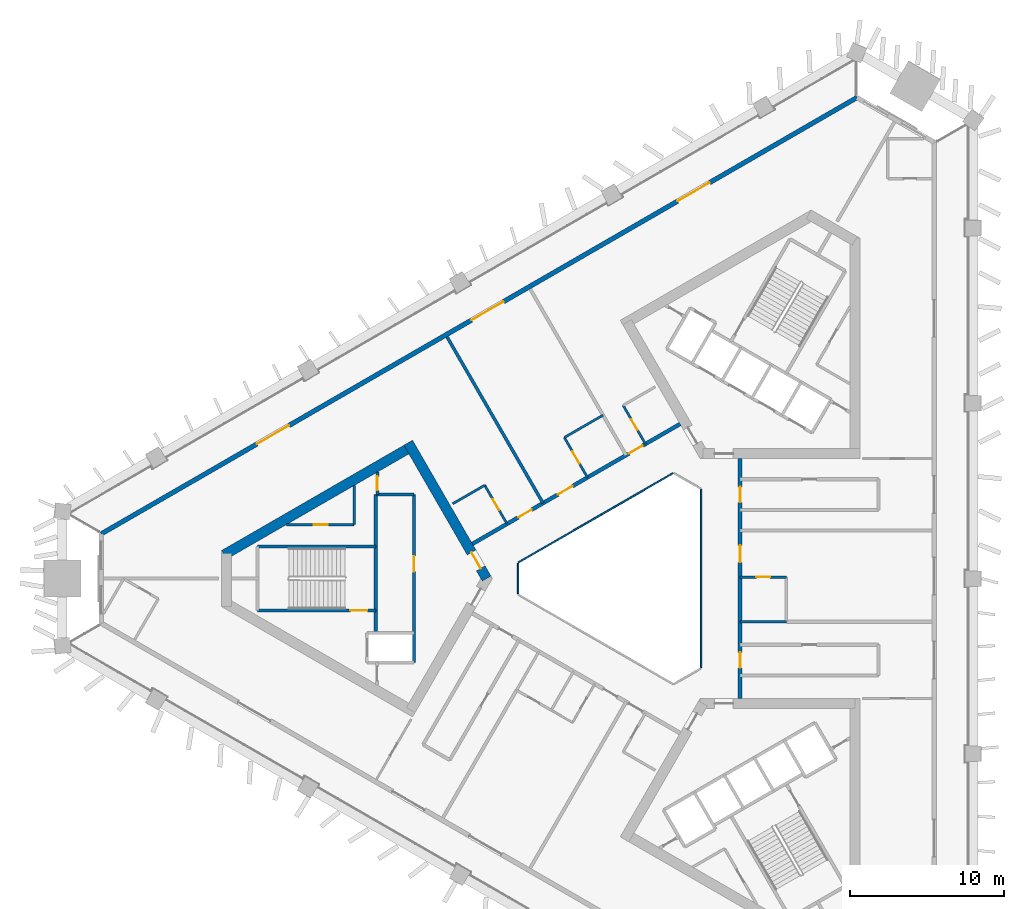
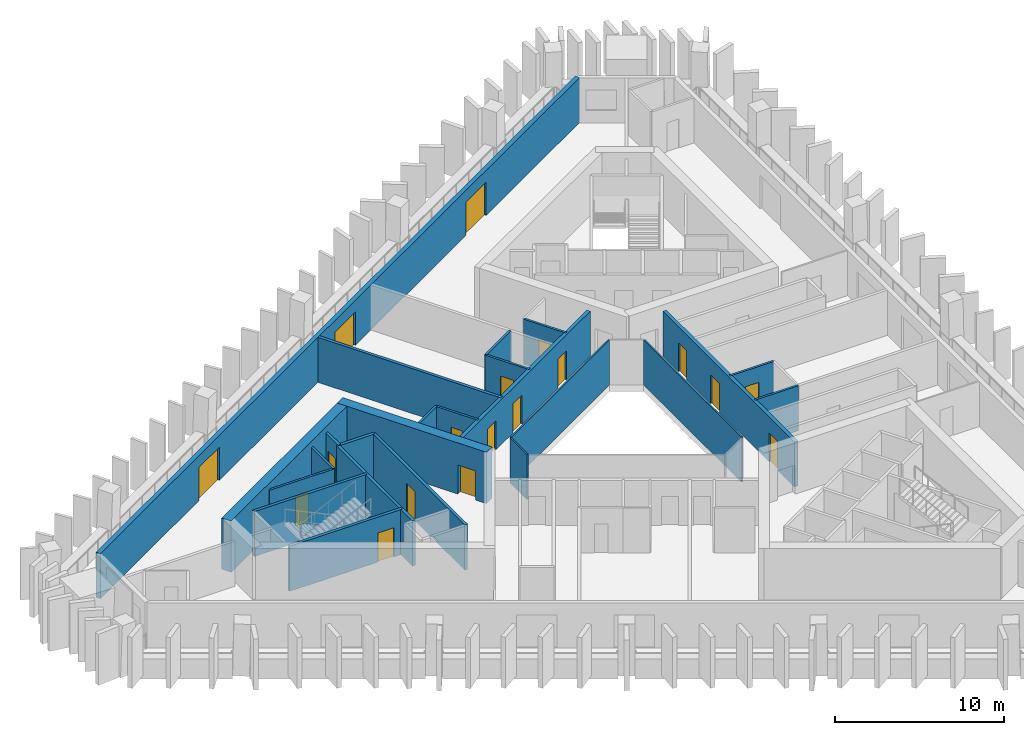
# One storey, part 4 of 10: 24 walls, 18 doors, 18 openings.
"""IFC4 building model written with IfcOpenShell, lengths in metres."""

from ifc_helpers import new_model, si_unit, direction, frame, frame_2d, origin, place, context, subcontext, project, spatial, rectangle, extrude, material, layer, layer_set, type_object, element, fill, save


model = new_model("IFC4")

# Units and contexts
model_context = context("Model", 3, precision=1e-05, world=origin(), true_north=direction((0.0, 1.0)))
body_context = subcontext(model_context, "Body", "Model", "MODEL_VIEW")
ifc_project = project(units=[si_unit("LENGTHUNIT", "METRE"), si_unit("AREAUNIT", "SQUARE_METRE"), si_unit("VOLUMEUNIT", "CUBIC_METRE"), si_unit("PLANEANGLEUNIT", "RADIAN"), si_unit("MASSUNIT", "GRAM", prefix="KILO")], contexts=[model_context])

# Site, building, storey
site_placement = place(None, origin())
site = spatial("IfcSite", under=ifc_project, at=site_placement, CompositionType="ELEMENT")
building_placement = place(site_placement, origin())
building = spatial("IfcBuilding", under=site, at=building_placement, Name="Jabali Bay Hotel Tower and Convention Centre", CompositionType="ELEMENT")
storey_placement = place(building_placement, frame((0.0, 0.0, 117.89990234375)))
storey = spatial("IfcBuildingStorey", under=building, at=storey_placement, Name="L28", CompositionType="ELEMENT", Elevation=117.89990234375)

# Walls
ifc_material_1 = material(Name="Fire-resistant glazing", Category="glass")
ifc_layer_1 = layer(ifc_material_1, 0.10009765625)
ifc_layer_set_1 = layer_set([ifc_layer_1], Name="Fire-resistant glazing")
wall_type_1 = type_object("IfcWallType", Name="Atrium glazed screen 100", PredefinedType="PARTITIONING", material=ifc_layer_set_1)
for number, where, z_axis, x_axis, name in (
    (1, (79.56005859375, 74.205810546875, 0.0), (0.0, 0.0, 1.0), (0.0, 1.0, 0.0), "Atrium screen 1 L28"),
    (2, (77.738037109375, 86.84619140625, 0.0), (0.0, 0.0, 1.0), (-0.866026658274, -0.499997827154, 0.0), "Atrium screen 3 L28"),
):
    element("IfcWall", number, at=place(storey_placement, frame(where, z_axis=z_axis, x_axis=x_axis)), inside=storey, type_object=wall_type_1, Name=name, PredefinedType="PARTITIONING", context=body_context, shape_type="SweptSolid", body=[
        extrude(rectangle(XDim=11.58837890625, YDim=0.10009765625, at=frame_2d((5.794189453125, 0.0))), origin(), (0.0, 0.0, 1.0), 3.25),
    ])
wall_1_placement = place(storey_placement, frame((67.672119140625, 81.0, 0.0), z_axis=(0.0, 0.0, 1.0), x_axis=(0.0, -1.0, 0.0)))
element("IfcWall", 3, at=wall_1_placement, inside=storey, type_object=wall_type_1, Name="Atrium screen 4 L28", PredefinedType="PARTITIONING", context=body_context, shape_type="SweptSolid", body=[
    extrude(rectangle(XDim=2.0, YDim=0.10009765625, at=frame_2d((1.0, 0.0))), origin(), (0.0, 0.0, 1.0), 3.25),
])

# Wall, opening, door
ifc_material_2 = material(Name="Concrete C40", Category="concrete")
ifc_layer_2 = layer(ifc_material_2, 0.199951171875)
ifc_layer_set_2 = layer_set([ifc_layer_2], Name="Concrete C40")
wall_type_2 = type_object("IfcWallType", Name="Core partition wall 200", PredefinedType="PARTITIONING", material=ifc_layer_set_2)
wall_2_placement = place(storey_placement, frame((58.52001953125, 86.916748046875, 0.0), z_axis=(0.0, 0.0, 1.0), x_axis=(0.0, -1.0, 0.0)))
wall_2 = element("IfcWall", 4, at=wall_2_placement, inside=storey, type_object=wall_type_2, Name="Core wall 0.8 L28", PredefinedType="PARTITIONING", context=body_context, shape_type="SweptSolid", body=[
    extrude(rectangle(XDim=1.466796875, YDim=0.199951171875, at=frame_2d((0.7333984375, 0.0))), origin(), (0.0, 0.0, 1.0), 3.25),
])
opening_1_placement = place(wall_2_placement, frame((0.283447265625, 0.0, 0.0)))
opening_1 = element("IfcOpeningElement", 5, at=opening_1_placement, cuts=wall_2, Name="Opening D625", PredefinedType="OPENING", context=body_context, shape_type="SweptSolid", body=[
    extrude(rectangle(XDim=0.89990234375, YDim=2.10009765625, at=frame_2d((0.449951171875, 1.050048828125))), frame((0.0, 0.1103515625, 0.0), z_axis=(0.0, -1.0, 0.0), x_axis=(1.0, 0.0, 0.0)), (0.0, 0.0, 1.0), 0.220947265625),
])
ifc_material_3 = material(Name="Fire-rated steel door", Category="steel")
door_type_1 = type_object("IfcDoorType", Name="Vestibule fire door 900 x 2100", OperationType="NOTDEFINED", PredefinedType="NOTDEFINED", material=ifc_material_3)
door_1_placement = place(opening_1_placement, origin())
door_1 = element("IfcDoor", 6, at=door_1_placement, inside=storey, type_object=door_type_1, Name="Vestibule fire door D625", OperationType="SINGLE_SWING_LEFT", OverallHeight=2.10009765625, OverallWidth=0.89990234375, PredefinedType="NOTDEFINED", context=body_context, shape_type="SweptSolid", body=[
    extrude(rectangle(XDim=0.89990234375, YDim=2.10009765625, at=frame_2d((0.449951171875, 1.050048828125))), frame((0.0, 0.02490234375, 0.0), z_axis=(0.0, -1.0, 0.0), x_axis=(1.0, 0.0, 0.0)), (0.0, 0.0, 1.0), 0.050048828125),
])
fill(opening_1, door_1)

ifc_material_4 = material(Name="Fire-rated board partition")
ifc_layer_3 = layer(ifc_material_4, 0.14990234375)
ifc_layer_set_3 = layer_set([ifc_layer_3], Name="Fire-rated board partition")
wall_type_3 = type_object("IfcWallType", Name="Core room partition 150", PredefinedType="PARTITIONING", material=ifc_layer_set_3)
wall_3_placement = place(storey_placement, frame((57.02001953125, 83.5, 0.0), z_axis=(0.0, 0.0, 1.0), x_axis=(-1.0, 0.0, 0.0)))
wall_3 = element("IfcWall", 7, at=wall_3_placement, inside=storey, type_object=wall_type_3, Name="Core wall 0.1 L28", PredefinedType="PARTITIONING", context=body_context, shape_type="SweptSolid", body=[
    extrude(rectangle(XDim=4.417724609375, YDim=0.14990234375, at=frame_2d((2.208984375, 0.0))), origin(), (0.0, 0.0, 1.0), 3.25),
])
opening_2_placement = place(wall_3_placement, frame((1.7314453125, 0.0, 0.0)))
opening_2 = element("IfcOpeningElement", 8, at=opening_2_placement, cuts=wall_3, Name="Opening D627", PredefinedType="OPENING", context=body_context, shape_type="SweptSolid", body=[
    extrude(rectangle(XDim=0.89990234375, YDim=2.10009765625, at=frame_2d((0.449951171875, 1.050048828125))), frame((0.0, 0.08544921875, 0.0), z_axis=(0.0, -1.0, 0.0), x_axis=(1.0, 0.0, 0.0)), (0.0, 0.0, 1.0), 0.1708984375),
])
door_type_2 = type_object("IfcDoorType", Name="Core room door 900 x 2100", OperationType="NOTDEFINED", PredefinedType="NOTDEFINED", material=ifc_material_3)
door_2_placement = place(opening_2_placement, origin())
door_2 = element("IfcDoor", 9, at=door_2_placement, inside=storey, type_object=door_type_2, Name="Core room door D627", OperationType="SINGLE_SWING_LEFT", OverallHeight=2.10009765625, OverallWidth=0.89990234375, PredefinedType="NOTDEFINED", context=body_context, shape_type="SweptSolid", body=[
    extrude(rectangle(XDim=0.89990234375, YDim=2.10009765625, at=frame_2d((0.449951171875, 1.050048828125))), frame((0.0, 0.02490234375, 0.0), z_axis=(0.0, -1.0, 0.0), x_axis=(1.0, 0.0, 0.0)), (0.0, 0.0, 1.0), 0.050048828125),
])
fill(opening_2, door_2)

# Walls
wall_4_placement = place(storey_placement, frame((57.02001953125, 86.050537109375, 0.0), z_axis=(0.0, 0.0, 1.0), x_axis=(0.0, -1.0, 0.0)))
element("IfcWall", 10, at=wall_4_placement, inside=storey, type_object=wall_type_3, Name="Core wall 0.12 L28", PredefinedType="PARTITIONING", context=body_context, shape_type="SweptSolid", body=[
    extrude(rectangle(XDim=2.550537109375, YDim=0.14990234375, at=frame_2d((1.275390625, 0.0))), origin(), (0.0, 0.0, 1.0), 3.25),
])
ifc_layer_4 = layer(ifc_material_2, 0.199951171875)
ifc_layer_set_4 = layer_set([ifc_layer_4], Name="Concrete C40")
wall_type_4 = type_object("IfcWallType", Name="Core stair wall 200", PredefinedType="SOLIDWALL", material=ifc_layer_set_4)
wall_5_placement = place(storey_placement, frame((60.89990234375, 85.449951171875, 0.0), z_axis=(0.0, 0.0, 1.0), x_axis=(-1.0, 0.0, 0.0)))
element("IfcWall", 11, at=wall_5_placement, inside=storey, type_object=wall_type_4, Name="Core wall 0.0 L28", PredefinedType="SOLIDWALL", context=body_context, shape_type="SweptSolid", body=[
    extrude(rectangle(XDim=2.47998046875, YDim=0.199951171875, at=frame_2d((1.239990234375, 0.0))), origin(), (0.0, 0.0, 1.0), 3.25),
])
wall_6_placement = place(storey_placement, frame((58.419921875, 82.074951171875, 0.0), z_axis=(0.0, 0.0, 1.0), x_axis=(-1.0, 0.0, 0.0)))
element("IfcWall", 12, at=wall_6_placement, inside=storey, type_object=wall_type_4, Name="Core wall 0.2 L28", PredefinedType="SOLIDWALL", context=body_context, shape_type="SweptSolid", body=[
    extrude(rectangle(XDim=7.699951171875, YDim=0.199951171875, at=frame_2d((3.85009765625, 0.0))), origin(), (0.0, 0.0, 1.0), 3.25),
])

# Wall, opening, door
wall_7_placement = place(storey_placement, frame((58.419921875, 77.925048828125, 0.0), z_axis=(0.0, 0.0, 1.0), x_axis=(-1.0, 0.0, 0.0)))
wall_7 = element("IfcWall", 13, at=wall_7_placement, inside=storey, type_object=wall_type_4, Name="Core wall 0.4 L28", PredefinedType="SOLIDWALL", context=body_context, shape_type="SweptSolid", body=[
    extrude(rectangle(XDim=7.699951171875, YDim=0.199951171875, at=frame_2d((3.85009765625, 0.0))), origin(), (0.0, 0.0, 1.0), 3.25),
])
opening_3_placement = place(wall_7_placement, frame((0.550048828125, 0.0, 0.0)))
opening_3 = element("IfcOpeningElement", 14, at=opening_3_placement, cuts=wall_7, Name="Opening D626", PredefinedType="OPENING", context=body_context, shape_type="SweptSolid", body=[
    extrude(rectangle(XDim=1.10009765625, YDim=2.10009765625, at=frame_2d((0.550048828125, 1.050048828125))), frame((0.0, 0.1103515625, 0.0), z_axis=(0.0, -1.0, 0.0), x_axis=(1.0, 0.0, 0.0)), (0.0, 0.0, 1.0), 0.220947265625),
])
door_type_3 = type_object("IfcDoorType", Name="Stair fire door 1100 x 2100", OperationType="NOTDEFINED", PredefinedType="NOTDEFINED", material=ifc_material_3)
door_3_placement = place(opening_3_placement, origin())
door_3 = element("IfcDoor", 15, at=door_3_placement, inside=storey, type_object=door_type_3, Name="Stair fire door D626", OperationType="SINGLE_SWING_RIGHT", OverallHeight=2.10009765625, OverallWidth=1.10009765625, PredefinedType="NOTDEFINED", context=body_context, shape_type="SweptSolid", body=[
    extrude(rectangle(XDim=1.10009765625, YDim=2.10009765625, at=frame_2d((0.550048828125, 1.050048828125))), frame((0.0, 0.02490234375, 0.0), z_axis=(0.0, -1.0, 0.0), x_axis=(1.0, 0.0, 0.0)), (0.0, 0.0, 1.0), 0.050048828125),
])
fill(opening_3, door_3)

wall_8_placement = place(storey_placement, frame((60.89990234375, 85.449951171875, 0.0), z_axis=(0.0, 0.0, 1.0), x_axis=(0.0, -1.0, 0.0)))
wall_8 = element("IfcWall", 16, at=wall_8_placement, inside=storey, type_object=wall_type_4, Name="Core wall 0.7 L28", PredefinedType="SOLIDWALL", context=body_context, shape_type="SweptSolid", body=[
    extrude(rectangle(XDim=10.89990234375, YDim=0.199951171875, at=frame_2d((5.449951171875, 0.0))), origin(), (0.0, 0.0, 1.0), 3.25),
])
opening_4_placement = place(wall_8_placement, frame((4.0, 0.0, 0.0)))
opening_4 = element("IfcOpeningElement", 17, at=opening_4_placement, cuts=wall_8, Name="Opening D623", PredefinedType="OPENING", context=body_context, shape_type="SweptSolid", body=[
    extrude(rectangle(XDim=1.0, YDim=2.10009765625, at=frame_2d((0.5, 1.050048828125))), frame((0.0, 0.1103515625, 0.0), z_axis=(0.0, -1.0, 0.0), x_axis=(1.0, 0.0, 0.0)), (0.0, 0.0, 1.0), 0.220947265625),
])
door_type_4 = type_object("IfcDoorType", Name="Core room door 1000 x 2100", OperationType="NOTDEFINED", PredefinedType="NOTDEFINED", material=ifc_material_3)
door_4_placement = place(opening_4_placement, origin())
door_4 = element("IfcDoor", 18, at=door_4_placement, inside=storey, type_object=door_type_4, Name="Core room door D623", OperationType="SINGLE_SWING_RIGHT", OverallHeight=2.10009765625, OverallWidth=1.0, PredefinedType="NOTDEFINED", context=body_context, shape_type="SweptSolid", body=[
    extrude(rectangle(XDim=1.0, YDim=2.10009765625, at=frame_2d((0.5, 1.050048828125))), frame((0.0, 0.02490234375, 0.0), z_axis=(0.0, -1.0, 0.0), x_axis=(1.0, 0.0, 0.0)), (0.0, 0.0, 1.0), 0.050048828125),
])
fill(opening_4, door_4)

# Wall
wall_9_placement = place(storey_placement, frame((58.419921875, 85.449951171875, 0.0), z_axis=(0.0, 0.0, 1.0), x_axis=(0.0, -1.0, 0.0)))
element("IfcWall", 19, at=wall_9_placement, inside=storey, type_object=wall_type_4, Name="Core wall 0.10 L28", PredefinedType="SOLIDWALL", context=body_context, shape_type="SweptSolid", body=[
    extrude(rectangle(XDim=9.0, YDim=0.199951171875, at=frame_2d((4.5, 0.0))), origin(), (0.0, 0.0, 1.0), 3.25),
])

# Wall, opening, door
ifc_material_5 = material(Name="Concrete C60", Category="concrete")
ifc_layer_5 = layer(ifc_material_5, 0.64990234375)
ifc_layer_set_5 = layer_set([ifc_layer_5], Name="Concrete C60")
wall_type_5 = type_object("IfcWallType", Name="Core wall 650", PredefinedType="SHEAR", material=ifc_layer_set_5)
wall_10_placement = place(storey_placement, frame((65.624755859375, 80.0, 0.0), z_axis=(0.0, 0.0, 1.0), x_axis=(-0.49999822179, 0.866026430432, 0.0)))
wall_10 = element("IfcWall", 20, at=wall_10_placement, inside=storey, type_object=wall_type_5, Name="Core wall 1.1 L28", PredefinedType="SHEAR", context=body_context, shape_type="SweptSolid", body=[
    extrude(rectangle(XDim=10.1923828125, YDim=0.64990234375, at=frame_2d((5.09619140625, 0.0))), origin(), (0.0, 0.0, 1.0), 3.7001953125),
])
opening_5_placement = place(wall_10_placement, frame((0.762451171875, 0.0, 0.0)))
opening_5 = element("IfcOpeningElement", 21, at=opening_5_placement, cuts=wall_10, Name="Opening D621", PredefinedType="OPENING", context=body_context, shape_type="SweptSolid", body=[
    extrude(rectangle(XDim=1.199951171875, YDim=2.10009765625, at=frame_2d((0.60009765625, 1.050048828125))), frame((0.0, 0.33544921875, 0.0), z_axis=(0.0, -1.0, 0.0), x_axis=(1.0, 0.0, 0.0)), (0.0, 0.0, 1.0), 0.6708984375),
])
door_type_5 = type_object("IfcDoorType", Name="Corridor end fire door 1200 x 2100", OperationType="NOTDEFINED", PredefinedType="NOTDEFINED", material=ifc_material_3)
door_5_placement = place(opening_5_placement, origin())
door_5 = element("IfcDoor", 22, at=door_5_placement, inside=storey, type_object=door_type_5, Name="Corridor end fire door D621", OperationType="SINGLE_SWING_RIGHT", OverallHeight=2.10009765625, OverallWidth=1.199951171875, PredefinedType="NOTDEFINED", context=body_context, shape_type="SweptSolid", body=[
    extrude(rectangle(XDim=1.199951171875, YDim=2.10009765625, at=frame_2d((0.60009765625, 1.050048828125))), frame((0.0, 0.02490234375, 0.0), z_axis=(0.0, -1.0, 0.0), x_axis=(1.0, 0.0, 0.0)), (0.0, 0.0, 1.0), 0.050048828125),
])
fill(opening_5, door_5)

# Wall
wall_11_placement = place(storey_placement, frame((60.691162109375, 88.54541015625, 0.0), z_axis=(0.0, 0.0, 1.0), x_axis=(-0.866030607649, -0.499990986534, 0.0)))
element("IfcWall", 23, at=wall_11_placement, inside=storey, type_object=wall_type_5, Name="Core wall 1.2 L28", PredefinedType="SHEAR", context=body_context, shape_type="SweptSolid", body=[
    extrude(rectangle(XDim=14.008544921875, YDim=0.64990234375, at=frame_2d((7.00439453125, 0.0))), origin(), (0.0, 0.0, 1.0), 3.7001953125),
])

# Wall, openings, doors
ifc_layer_6 = layer(ifc_material_5, 0.25)
ifc_layer_set_6 = layer_set([ifc_layer_6], Name="Concrete C60")
wall_type_6 = type_object("IfcWallType", Name="Corridor wall 250", PredefinedType="SHEAR", material=ifc_layer_set_6)
wall_12_placement = place(storey_placement, frame((82.10009765625, 72.205810546875, 0.0), z_axis=(0.0, 0.0, 1.0), x_axis=(0.0, 1.0, 0.0)))
wall_12 = element("IfcWall", 24, at=wall_12_placement, inside=storey, type_object=wall_type_6, Name="Corridor wall 1 L28", PredefinedType="SHEAR", context=body_context, shape_type="SweptSolid", body=[
    extrude(rectangle(XDim=15.58837890625, YDim=0.25, at=frame_2d((7.794189453125, 0.0))), origin(), (0.0, 0.0, 1.0), 3.25),
])
opening_6_placement = place(wall_12_placement, frame((1.994140625, 0.0, 0.0)))
opening_6 = element("IfcOpeningElement", 25, at=opening_6_placement, cuts=wall_12, Name="Opening 2801", PredefinedType="OPENING", context=body_context, shape_type="SweptSolid", body=[
    extrude(rectangle(XDim=1.0, YDim=2.10009765625, at=frame_2d((0.5, 1.050048828125))), frame((0.0, 0.135498046875, 0.0), z_axis=(0.0, -1.0, 0.0), x_axis=(1.0, 0.0, 0.0)), (0.0, 0.0, 1.0), 0.27099609375),
])
opening_7_placement = place(wall_12_placement, frame((8.85009765625, 0.0, 0.0)))
opening_7 = element("IfcOpeningElement", 26, at=opening_7_placement, cuts=wall_12, Name="Opening 2806", PredefinedType="OPENING", context=body_context, shape_type="SweptSolid", body=[
    extrude(rectangle(XDim=1.10009765625, YDim=2.10009765625, at=frame_2d((0.550048828125, 1.050048828125))), frame((0.0, 0.135498046875, 0.0), z_axis=(0.0, -1.0, 0.0), x_axis=(1.0, 0.0, 0.0)), (0.0, 0.0, 1.0), 0.27099609375),
])
opening_8_placement = place(wall_12_placement, frame((12.750244140625, 0.0, 0.0)))
opening_8 = element("IfcOpeningElement", 27, at=opening_8_placement, cuts=wall_12, Name="Opening 2807", PredefinedType="OPENING", context=body_context, shape_type="SweptSolid", body=[
    extrude(rectangle(XDim=1.0, YDim=2.10009765625, at=frame_2d((0.5, 1.050048828125))), frame((0.0, 0.135498046875, 0.0), z_axis=(0.0, -1.0, 0.0), x_axis=(1.0, 0.0, 0.0)), (0.0, 0.0, 1.0), 0.27099609375),
])
ifc_material_6 = material(Name="Timber", Category="wood")
door_type_6 = type_object("IfcDoorType", Name="Accessible guest room door 1100 x 2100", OperationType="NOTDEFINED", PredefinedType="NOTDEFINED", material=ifc_material_6)
door_6_placement = place(opening_7_placement, origin())
door_6 = element("IfcDoor", 28, at=door_6_placement, inside=storey, type_object=door_type_6, Name="Door 2806", OperationType="SINGLE_SWING_RIGHT", OverallHeight=2.10009765625, OverallWidth=1.10009765625, PredefinedType="NOTDEFINED", context=body_context, shape_type="SweptSolid", body=[
    extrude(rectangle(XDim=1.10009765625, YDim=2.10009765625, at=frame_2d((0.550048828125, 1.050048828125))), frame((0.0, 0.02490234375, 0.0), z_axis=(0.0, -1.0, 0.0), x_axis=(1.0, 0.0, 0.0)), (0.0, 0.0, 1.0), 0.050048828125),
])
fill(opening_7, door_6)
door_type_7 = type_object("IfcDoorType", Name="Guest room door 1000 x 2100", OperationType="NOTDEFINED", PredefinedType="NOTDEFINED", material=ifc_material_6)
door_7_placement = place(opening_6_placement, origin())
door_7 = element("IfcDoor", 29, at=door_7_placement, inside=storey, type_object=door_type_7, Name="Door 2801", OperationType="SINGLE_SWING_LEFT", OverallHeight=2.10009765625, OverallWidth=1.0, PredefinedType="NOTDEFINED", context=body_context, shape_type="SweptSolid", body=[
    extrude(rectangle(XDim=1.0, YDim=2.10009765625, at=frame_2d((0.5, 1.050048828125))), frame((0.0, 0.02490234375, 0.0), z_axis=(0.0, -1.0, 0.0), x_axis=(1.0, 0.0, 0.0)), (0.0, 0.0, 1.0), 0.050048828125),
])
fill(opening_6, door_7)
door_8_placement = place(opening_8_placement, origin())
door_8 = element("IfcDoor", 30, at=door_8_placement, inside=storey, type_object=door_type_7, Name="Door 2807", OperationType="SINGLE_SWING_RIGHT", OverallHeight=2.10009765625, OverallWidth=1.0, PredefinedType="NOTDEFINED", context=body_context, shape_type="SweptSolid", body=[
    extrude(rectangle(XDim=1.0, YDim=2.10009765625, at=frame_2d((0.5, 1.050048828125))), frame((0.0, 0.02490234375, 0.0), z_axis=(0.0, -1.0, 0.0), x_axis=(1.0, 0.0, 0.0)), (0.0, 0.0, 1.0), 0.050048828125),
])
fill(opening_8, door_8)

wall_13_placement = place(storey_placement, frame((78.199951171875, 90.0458984375, 0.0), z_axis=(0.0, 0.0, 1.0), x_axis=(-0.866026492143, -0.499998114903, 0.0)))
wall_13 = element("IfcWall", 31, at=wall_13_placement, inside=storey, type_object=wall_type_6, Name="Corridor wall 2 L28", PredefinedType="SHEAR", context=body_context, shape_type="SweptSolid", body=[
    extrude(rectangle(XDim=15.58837890625, YDim=0.25, at=frame_2d((7.794189453125, 0.0))), origin(), (0.0, 0.0, 1.0), 3.25),
])
opening_9_placement = place(wall_13_placement, frame((2.826416015625, 0.0, 0.0)))
opening_9 = element("IfcOpeningElement", 32, at=opening_9_placement, cuts=wall_13, Name="Opening 2812", PredefinedType="OPENING", context=body_context, shape_type="SweptSolid", body=[
    extrude(rectangle(XDim=1.0, YDim=2.10009765625, at=frame_2d((0.5, 1.050048828125))), frame((0.0, 0.135498046875, 0.0), z_axis=(0.0, -1.0, 0.0), x_axis=(1.0, 0.0, 0.0)), (0.0, 0.0, 1.0), 0.27099609375),
])
opening_10_placement = place(wall_13_placement, frame((8.07080078125, 0.0, 0.0)))
opening_10 = element("IfcOpeningElement", 33, at=opening_10_placement, cuts=wall_13, Name="Opening 2814", PredefinedType="OPENING", context=body_context, shape_type="SweptSolid", body=[
    extrude(rectangle(XDim=1.10009765625, YDim=2.10009765625, at=frame_2d((0.550048828125, 1.050048828125))), frame((0.0, 0.135498046875, 0.0), z_axis=(0.0, -1.0, 0.0), x_axis=(1.0, 0.0, 0.0)), (0.0, 0.0, 1.0), 0.27099609375),
])
opening_11_placement = place(wall_13_placement, frame((11.138427734375, 0.0, 0.0)))
opening_11 = element("IfcOpeningElement", 34, at=opening_11_placement, cuts=wall_13, Name="Opening 2816", PredefinedType="OPENING", context=body_context, shape_type="SweptSolid", body=[
    extrude(rectangle(XDim=1.0, YDim=2.10009765625, at=frame_2d((0.5, 1.050048828125))), frame((0.0, 0.135498046875, 0.0), z_axis=(0.0, -1.0, 0.0), x_axis=(1.0, 0.0, 0.0)), (0.0, 0.0, 1.0), 0.27099609375),
])
door_9_placement = place(opening_10_placement, origin())
door_9 = element("IfcDoor", 35, at=door_9_placement, inside=storey, type_object=door_type_6, Name="Door 2814", OperationType="SINGLE_SWING_RIGHT", OverallHeight=2.10009765625, OverallWidth=1.10009765625, PredefinedType="NOTDEFINED", context=body_context, shape_type="SweptSolid", body=[
    extrude(rectangle(XDim=1.10009765625, YDim=2.10009765625, at=frame_2d((0.550048828125, 1.050048828125))), frame((0.0, 0.02490234375, 0.0), z_axis=(0.0, -1.0, 0.0), x_axis=(1.0, 0.0, 0.0)), (0.0, 0.0, 1.0), 0.050048828125),
])
fill(opening_10, door_9)
door_10_placement = place(opening_9_placement, origin())
door_10 = element("IfcDoor", 36, at=door_10_placement, inside=storey, type_object=door_type_7, Name="Door 2812", OperationType="SINGLE_SWING_LEFT", OverallHeight=2.10009765625, OverallWidth=1.0, PredefinedType="NOTDEFINED", context=body_context, shape_type="SweptSolid", body=[
    extrude(rectangle(XDim=1.0, YDim=2.10009765625, at=frame_2d((0.5, 1.050048828125))), frame((0.0, 0.02490234375, 0.0), z_axis=(0.0, -1.0, 0.0), x_axis=(1.0, 0.0, 0.0)), (0.0, 0.0, 1.0), 0.050048828125),
])
fill(opening_9, door_10)
door_11_placement = place(opening_11_placement, origin())
door_11 = element("IfcDoor", 37, at=door_11_placement, inside=storey, type_object=door_type_7, Name="Door 2816", OperationType="SINGLE_SWING_RIGHT", OverallHeight=2.10009765625, OverallWidth=1.0, PredefinedType="NOTDEFINED", context=body_context, shape_type="SweptSolid", body=[
    extrude(rectangle(XDim=1.0, YDim=2.10009765625, at=frame_2d((0.5, 1.050048828125))), frame((0.0, 0.02490234375, 0.0), z_axis=(0.0, -1.0, 0.0), x_axis=(1.0, 0.0, 0.0)), (0.0, 0.0, 1.0), 0.050048828125),
])
fill(opening_11, door_11)

ifc_layer_7 = layer(ifc_material_2, 0.300048828125)
ifc_layer_set_7 = layer_set([ifc_layer_7], Name="Concrete C40")
wall_type_7 = type_object("IfcWallType", Name="External wall 300", PredefinedType="SOLIDWALL", material=ifc_layer_set_7)
wall_14_placement = place(storey_placement, frame((40.57568359375, 82.90185546875, 0.0), z_axis=(0.0, 0.0, 1.0), x_axis=(0.866023671094, 0.500003001095, 0.0)))
wall_14 = element("IfcWall", 38, at=wall_14_placement, inside=storey, type_object=wall_type_7, Name="External wall north-west face L28", PredefinedType="SOLIDWALL", context=body_context, shape_type="SweptSolid", body=[
    extrude(rectangle(XDim=56.722900390625, YDim=0.300048828125, at=frame_2d((28.361328125, 0.0))), origin(), (0.0, 0.0, 1.0), 3.25),
])
opening_12_placement = place(wall_14_placement, frame((27.784912109375, 0.0, 0.0)))
opening_12 = element("IfcOpeningElement", 39, at=opening_12_placement, cuts=wall_14, Name="Opening SD1", PredefinedType="OPENING", context=body_context, shape_type="SweptSolid", body=[
    extrude(rectangle(XDim=2.39990234375, YDim=2.39990234375, at=frame_2d((1.199951171875, 1.199951171875))), frame((0.0, 0.16064453125, 0.0), z_axis=(0.0, -1.0, 0.0), x_axis=(1.0, 0.0, 0.0)), (0.0, 0.0, 1.0), 0.321044921875),
])
opening_13_placement = place(wall_14_placement, frame((43.256103515625, 0.0, 0.0)))
opening_13 = element("IfcOpeningElement", 40, at=opening_13_placement, cuts=wall_14, Name="Opening SD1", PredefinedType="OPENING", context=body_context, shape_type="SweptSolid", body=[
    extrude(rectangle(XDim=2.39990234375, YDim=2.39990234375, at=frame_2d((1.199951171875, 1.199951171875))), frame((0.0, 0.16064453125, 0.0), z_axis=(0.0, -1.0, 0.0), x_axis=(1.0, 0.0, 0.0)), (0.0, 0.0, 1.0), 0.321044921875),
])
opening_14_placement = place(wall_14_placement, frame((11.6904296875, 0.0, 0.0)))
opening_14 = element("IfcOpeningElement", 41, at=opening_14_placement, cuts=wall_14, Name="Opening SD1", PredefinedType="OPENING", context=body_context, shape_type="SweptSolid", body=[
    extrude(rectangle(XDim=2.39990234375, YDim=2.39990234375, at=frame_2d((1.199951171875, 1.199951171875))), frame((0.0, 0.16064453125, 0.0), z_axis=(0.0, -1.0, 0.0), x_axis=(1.0, 0.0, 0.0)), (0.0, 0.0, 1.0), 0.321044921875),
])
ifc_material_7 = material(Name="Glass", Category="glass")
door_type_8 = type_object("IfcDoorType", Name="Loggia sliding door 2400 x 2400", OperationType="NOTDEFINED", PredefinedType="NOTDEFINED", material=ifc_material_7)
door_12_placement = place(opening_12_placement, origin())
door_12 = element("IfcDoor", 42, at=door_12_placement, inside=storey, type_object=door_type_8, Name="Loggia sliding door 2807", OperationType="SLIDING_TO_LEFT", OverallHeight=2.39990234375, OverallWidth=2.39990234375, PredefinedType="NOTDEFINED", context=body_context, shape_type="SweptSolid", body=[
    extrude(rectangle(XDim=2.39990234375, YDim=2.39990234375, at=frame_2d((1.199951171875, 1.199951171875))), frame((0.0, 0.02490234375, 0.0), z_axis=(0.0, -1.0, 0.0), x_axis=(1.0, 0.0, 0.0)), (0.0, 0.0, 1.0), 0.050048828125),
])
fill(opening_12, door_12)
door_13_placement = place(opening_13_placement, origin())
door_13 = element("IfcDoor", 43, at=door_13_placement, inside=storey, type_object=door_type_8, Name="Loggia sliding door 2806", OperationType="SLIDING_TO_RIGHT", OverallHeight=2.39990234375, OverallWidth=2.39990234375, PredefinedType="NOTDEFINED", context=body_context, shape_type="SweptSolid", body=[
    extrude(rectangle(XDim=2.39990234375, YDim=2.39990234375, at=frame_2d((1.199951171875, 1.199951171875))), frame((0.0, 0.02490234375, 0.0), z_axis=(0.0, -1.0, 0.0), x_axis=(1.0, 0.0, 0.0)), (0.0, 0.0, 1.0), 0.050048828125),
])
fill(opening_13, door_13)
door_14_placement = place(opening_14_placement, origin())
door_14 = element("IfcDoor", 44, at=door_14_placement, inside=storey, type_object=door_type_8, Name="Loggia sliding door 2808", OperationType="SLIDING_TO_LEFT", OverallHeight=2.39990234375, OverallWidth=2.39990234375, PredefinedType="NOTDEFINED", context=body_context, shape_type="SweptSolid", body=[
    extrude(rectangle(XDim=2.39990234375, YDim=2.39990234375, at=frame_2d((1.199951171875, 1.199951171875))), frame((0.0, 0.02490234375, 0.0), z_axis=(0.0, -1.0, 0.0), x_axis=(1.0, 0.0, 0.0)), (0.0, 0.0, 1.0), 0.050048828125),
])
fill(opening_14, door_14)

# Wall
ifc_material_8 = material(Name="Plasterboard on steel stud", Category="steel")
ifc_layer_8 = layer(ifc_material_8, 0.14990234375)
ifc_layer_set_8 = layer_set([ifc_layer_8], Name="Plasterboard on steel stud")
wall_type_8 = type_object("IfcWallType", Name="Partition 150 wet", PredefinedType="PARTITIONING", material=ifc_layer_set_8)
wall_15_placement = place(storey_placement, frame((85.10009765625, 77.194091796875, 0.0), z_axis=(0.0, 0.0, 1.0), x_axis=(-1.0, 0.0, 0.0)))
element("IfcWall", 45, at=wall_15_placement, inside=storey, type_object=wall_type_8, Name="Partition P03 L28 006", PredefinedType="PARTITIONING", context=body_context, shape_type="SweptSolid", body=[
    extrude(rectangle(XDim=3.0, YDim=0.14990234375, at=frame_2d((1.5, 0.0))), origin(), (0.0, 0.0, 1.0), 3.25),
])

# Wall, opening, door
wall_16_placement = place(storey_placement, frame((82.10009765625, 80.093994140625, 0.0), z_axis=(0.0, 0.0, 1.0), x_axis=(1.0, 0.0, 0.0)))
wall_16 = element("IfcWall", 46, at=wall_16_placement, inside=storey, type_object=wall_type_8, Name="Partition P03 L28 011", PredefinedType="PARTITIONING", context=body_context, shape_type="SweptSolid", body=[
    extrude(rectangle(XDim=3.0, YDim=0.14990234375, at=frame_2d((1.5, 0.0))), origin(), (0.0, 0.0, 1.0), 3.25),
])
opening_15_placement = place(wall_16_placement, frame((1.050048828125, 0.0, 0.0)))
opening_15 = element("IfcOpeningElement", 47, at=opening_15_placement, cuts=wall_16, Name="Opening 2805", PredefinedType="OPENING", context=body_context, shape_type="SweptSolid", body=[
    extrude(rectangle(XDim=0.89990234375, YDim=2.10009765625, at=frame_2d((0.449951171875, 1.050048828125))), frame((0.0, 0.08544921875, 0.0), z_axis=(0.0, -1.0, 0.0), x_axis=(1.0, 0.0, 0.0)), (0.0, 0.0, 1.0), 0.1708984375),
])
door_type_9 = type_object("IfcDoorType", Name="Accessible en-suite door 900 x 2100", OperationType="NOTDEFINED", PredefinedType="NOTDEFINED", material=ifc_material_6)
door_15_placement = place(opening_15_placement, origin())
door_15 = element("IfcDoor", 48, at=door_15_placement, inside=storey, type_object=door_type_9, Name="Door 2805", OperationType="SINGLE_SWING_LEFT", OverallHeight=2.10009765625, OverallWidth=0.89990234375, PredefinedType="NOTDEFINED", context=body_context, shape_type="SweptSolid", body=[
    extrude(rectangle(XDim=0.89990234375, YDim=2.10009765625, at=frame_2d((0.449951171875, 1.050048828125))), frame((0.0, 0.02490234375, 0.0), z_axis=(0.0, -1.0, 0.0), x_axis=(1.0, 0.0, 0.0)), (0.0, 0.0, 1.0), 0.050048828125),
])
fill(opening_15, door_15)

wall_17_placement = place(storey_placement, frame((75.9482421875, 88.745849609375, 0.0), z_axis=(0.0, 0.0, 1.0), x_axis=(-0.499987231761, 0.866032775405, 0.0)))
wall_17 = element("IfcWall", 49, at=wall_17_placement, inside=storey, type_object=wall_type_8, Name="Partition P03 L28 022", PredefinedType="PARTITIONING", context=body_context, shape_type="SweptSolid", body=[
    extrude(rectangle(XDim=2.89990234375, YDim=0.14990234375, at=frame_2d((1.449951171875, 0.0))), origin(), (0.0, 0.0, 1.0), 3.25),
])
opening_16_placement = place(wall_17_placement, frame((1.050048828125, 0.0, 0.0)))
opening_16 = element("IfcOpeningElement", 50, at=opening_16_placement, cuts=wall_17, Name="Opening 2811", PredefinedType="OPENING", context=body_context, shape_type="SweptSolid", body=[
    extrude(rectangle(XDim=0.800048828125, YDim=2.10009765625, at=frame_2d((0.39990234375, 1.050048828125))), frame((0.0, 0.08544921875, 0.0), z_axis=(0.0, -1.0, 0.0), x_axis=(1.0, 0.0, 0.0)), (0.0, 0.0, 1.0), 0.1708984375),
])
door_type_10 = type_object("IfcDoorType", Name="En-suite door 800 x 2100", OperationType="NOTDEFINED", PredefinedType="NOTDEFINED", material=ifc_material_6)
door_16_placement = place(opening_16_placement, origin())
door_16 = element("IfcDoor", 51, at=door_16_placement, inside=storey, type_object=door_type_10, Name="Door 2811", OperationType="SINGLE_SWING_RIGHT", OverallHeight=2.10009765625, OverallWidth=0.800048828125, PredefinedType="NOTDEFINED", context=body_context, shape_type="SweptSolid", body=[
    extrude(rectangle(XDim=0.800048828125, YDim=2.10009765625, at=frame_2d((0.39990234375, 1.050048828125))), frame((0.0, 0.02490234375, 0.0), z_axis=(0.0, -1.0, 0.0), x_axis=(1.0, 0.0, 0.0)), (0.0, 0.0, 1.0), 0.050048828125),
])
fill(opening_16, door_16)

wall_18_placement = place(storey_placement, frame((72.178466796875, 86.5693359375, 0.0), z_axis=(0.0, 0.0, 1.0), x_axis=(-0.499990139034, 0.866031096941, 0.0)))
wall_18 = element("IfcWall", 52, at=wall_18_placement, inside=storey, type_object=wall_type_8, Name="Partition P03 L28 025", PredefinedType="PARTITIONING", context=body_context, shape_type="SweptSolid", body=[
    extrude(rectangle(XDim=3.0, YDim=0.14990234375, at=frame_2d((1.5, 0.0))), origin(), (0.0, 0.0, 1.0), 3.25),
])
opening_17_placement = place(wall_18_placement, frame((1.050048828125, 0.0, 0.0)))
opening_17 = element("IfcOpeningElement", 53, at=opening_17_placement, cuts=wall_18, Name="Opening 2813", PredefinedType="OPENING", context=body_context, shape_type="SweptSolid", body=[
    extrude(rectangle(XDim=0.89990234375, YDim=2.10009765625, at=frame_2d((0.449951171875, 1.050048828125))), frame((0.0, 0.08544921875, 0.0), z_axis=(0.0, -1.0, 0.0), x_axis=(1.0, 0.0, 0.0)), (0.0, 0.0, 1.0), 0.1708984375),
])
door_17_placement = place(opening_17_placement, origin())
door_17 = element("IfcDoor", 54, at=door_17_placement, inside=storey, type_object=door_type_9, Name="Door 2813", OperationType="SINGLE_SWING_LEFT", OverallHeight=2.10009765625, OverallWidth=0.89990234375, PredefinedType="NOTDEFINED", context=body_context, shape_type="SweptSolid", body=[
    extrude(rectangle(XDim=0.89990234375, YDim=2.10009765625, at=frame_2d((0.449951171875, 1.050048828125))), frame((0.0, 0.02490234375, 0.0), z_axis=(0.0, -1.0, 0.0), x_axis=(1.0, 0.0, 0.0)), (0.0, 0.0, 1.0), 0.050048828125),
])
fill(opening_17, door_17)

# Walls
wall_19_placement = place(storey_placement, frame((70.678466796875, 89.16748046875, 0.0), z_axis=(0.0, 0.0, 1.0), x_axis=(0.866032775405, 0.499987231761, 0.0)))
element("IfcWall", 55, at=wall_19_placement, inside=storey, type_object=wall_type_8, Name="Partition P03 L28 026", PredefinedType="PARTITIONING", context=body_context, shape_type="SweptSolid", body=[
    extrude(rectangle(XDim=2.89990234375, YDim=0.14990234375, at=frame_2d((1.449951171875, 0.0))), origin(), (0.0, 0.0, 1.0), 3.25),
])
wall_20_placement = place(storey_placement, frame((63.42236328125, 84.862548828125, 0.0), z_axis=(0.0, 0.0, 1.0), x_axis=(0.865994240961, 0.500053971709, 0.0)))
element("IfcWall", 56, at=wall_20_placement, inside=storey, type_object=wall_type_8, Name="Partition P03 L28 028", PredefinedType="PARTITIONING", context=body_context, shape_type="SweptSolid", body=[
    extrude(rectangle(XDim=2.401123046875, YDim=0.14990234375, at=frame_2d((1.20068359375, 0.0))), origin(), (0.0, 0.0, 1.0), 3.25),
])

# Wall, opening, door
wall_21_placement = place(storey_placement, frame((65.501708984375, 86.063232421875, 0.0), z_axis=(0.0, 0.0, 1.0), x_axis=(0.499987231761, -0.866032775405, 0.0)))
wall_21 = element("IfcWall", 57, at=wall_21_placement, inside=storey, type_object=wall_type_8, Name="Partition P03 L28 029", PredefinedType="PARTITIONING", context=body_context, shape_type="SweptSolid", body=[
    extrude(rectangle(XDim=2.89990234375, YDim=0.14990234375, at=frame_2d((1.449951171875, 0.0))), origin(), (0.0, 0.0, 1.0), 3.25),
])
opening_18_placement = place(wall_21_placement, frame((1.050048828125, 0.0, 0.0)))
opening_18 = element("IfcOpeningElement", 58, at=opening_18_placement, cuts=wall_21, Name="Opening 2815", PredefinedType="OPENING", context=body_context, shape_type="SweptSolid", body=[
    extrude(rectangle(XDim=0.800048828125, YDim=2.10009765625, at=frame_2d((0.39990234375, 1.050048828125))), frame((0.0, 0.08544921875, 0.0), z_axis=(0.0, -1.0, 0.0), x_axis=(1.0, 0.0, 0.0)), (0.0, 0.0, 1.0), 0.1708984375),
])
door_18_placement = place(opening_18_placement, origin())
door_18 = element("IfcDoor", 59, at=door_18_placement, inside=storey, type_object=door_type_10, Name="Door 2815", OperationType="SINGLE_SWING_RIGHT", OverallHeight=2.10009765625, OverallWidth=0.800048828125, PredefinedType="NOTDEFINED", context=body_context, shape_type="SweptSolid", body=[
    extrude(rectangle(XDim=0.800048828125, YDim=2.10009765625, at=frame_2d((0.39990234375, 1.050048828125))), frame((0.0, 0.02490234375, 0.0), z_axis=(0.0, -1.0, 0.0), x_axis=(1.0, 0.0, 0.0)), (0.0, 0.0, 1.0), 0.050048828125),
])
fill(opening_18, door_18)

# Wall
ifc_layer_9 = layer(ifc_material_8, 0.199951171875)
ifc_layer_set_9 = layer_set([ifc_layer_9], Name="Plasterboard on steel stud")
wall_type_9 = type_object("IfcWallType", Name="Partition 200 party", PredefinedType="PARTITIONING", material=ifc_layer_set_9)
wall_22_placement = place(storey_placement, frame((63.0517578125, 95.70654296875, 0.0), z_axis=(0.0, 0.0, 1.0), x_axis=(0.500003069293, -0.86602363172, 0.0)))
element("IfcWall", 60, at=wall_22_placement, inside=storey, type_object=wall_type_9, Name="Partition P01 L28 027", PredefinedType="PARTITIONING", context=body_context, shape_type="SweptSolid", body=[
    extrude(rectangle(XDim=12.4765625, YDim=0.199951171875, at=frame_2d((6.23828125, 0.0))), origin(), (0.0, 0.0, 1.0), 3.25),
])

save(model, "model.ifc")
